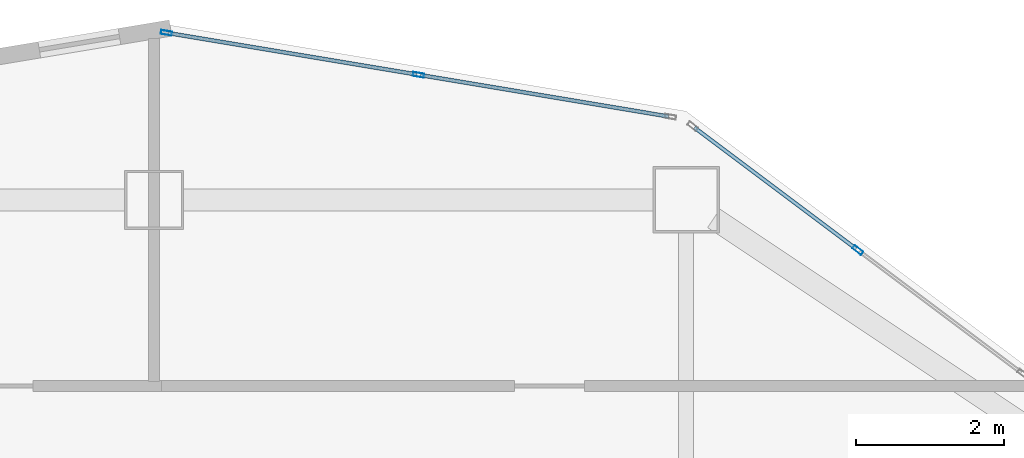
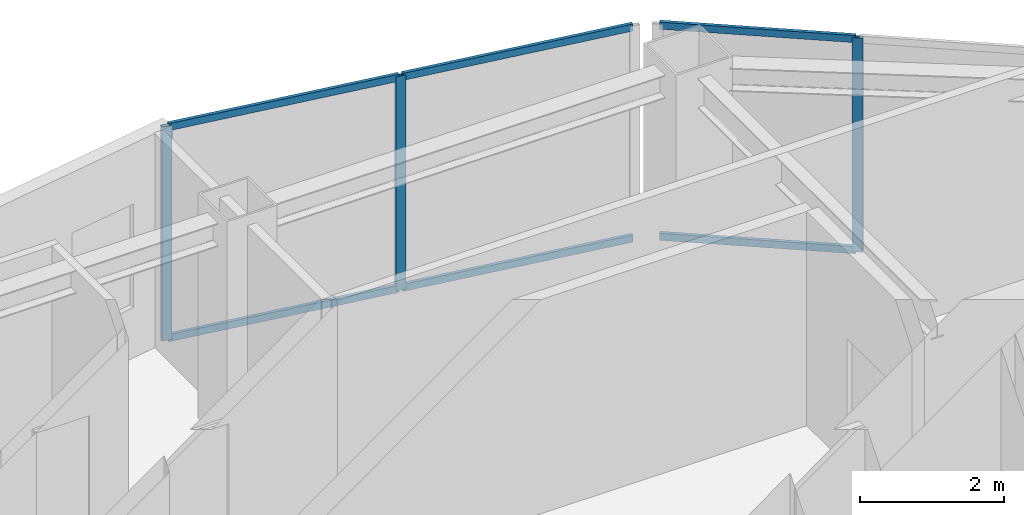
# One storey, part 2 of 11: 9 members, 2 elements without a shape of their own.
"""IFC4 building model written with IfcOpenShell, lengths in metres."""

from ifc_helpers import new_model, si_unit, direction, frame, origin, origin_2d, place, context, subcontext, project, spatial, hollow_rectangle, extrude, material, layer, layer_set, material_profile, profile_set, type_object, element, aggregate, save


model = new_model("IFC4")

# Units and contexts
model_context = context("Model", 3, precision=1e-05, world=origin(), true_north=direction((0.0, 1.0)))
body_context = subcontext(model_context, "Body", "Model", "MODEL_VIEW")
ifc_project = project(units=[si_unit("LENGTHUNIT", "METRE"), si_unit("AREAUNIT", "SQUARE_METRE"), si_unit("VOLUMEUNIT", "CUBIC_METRE"), si_unit("PLANEANGLEUNIT", "RADIAN"), si_unit("MASSUNIT", "GRAM", prefix="KILO")], contexts=[model_context])

# Site, building, storey
site_placement = place(None, origin())
site = spatial("IfcSite", under=ifc_project, at=site_placement, CompositionType="ELEMENT")
building_placement = place(site_placement, origin())
building = spatial("IfcBuilding", under=site, at=building_placement, Name="Haolan Belvedere Tower", CompositionType="ELEMENT")
storey_placement = place(building_placement, frame((0.0, 0.0, 223.0)))
storey = spatial("IfcBuildingStorey", under=building, at=storey_placement, Name="L56", CompositionType="ELEMENT", Elevation=223.0)

# Curtain wall, member
ifc_material_1 = material(Name="Anodised champagne-silver aluminium 6063-T6 and Low-E glass", Category="aluminium")
ifc_layer = layer(ifc_material_1, 0.14990234375, Name="Anodised champagne-silver aluminium 6063-T6 and Low-E glass")
ifc_layer_set = layer_set([ifc_layer], Name="Anodised champagne-silver aluminium 6063-T6 and Low-E glass")
curtain_wall_type = type_object("IfcCurtainWallType", Name="CW-SYS-04", PredefinedType="NOTDEFINED", material=ifc_layer_set)
curtain_wall_1_placement = place(storey_placement, origin())
curtain_wall_1 = element("IfcCurtainWall", 1, at=curtain_wall_1_placement, inside=storey, type_object=curtain_wall_type, Name="L56 CW-SYS-04 ribbon curtain wall 20.1", PredefinedType="NOTDEFINED")
ifc_material_2 = material(Name="Anodised aluminium 6063-T6", Category="aluminium")
ifc_material_profile_1 = material_profile(ifc_material_2, hollow_rectangle(XDim=0.055908203125, YDim=0.14990234375, WallThickness=0.00390625, at=origin_2d()), Name="Anodised aluminium 6063-T6")
ifc_profile_set_1 = profile_set([ifc_material_profile_1], Name="Anodised aluminium 6063-T6")
member_type_1 = type_object("IfcMemberType", Name="CW-SYS-04-MUL", PredefinedType="MULLION", material=ifc_profile_set_1)
member_1_placement = place(storey_placement, frame((47.9228515625, 49.720458984375, 0.0), z_axis=(0.0, 0.0, 1.0), x_axis=(-0.600002837806, -0.799997871638, 0.0)))
member_1 = element("IfcMember", 2, at=member_1_placement, type_object=member_type_1, Name="CW-04 mullion 2", PredefinedType="MULLION", context=body_context, shape_type="SweptSolid", body=[
    extrude(hollow_rectangle(XDim=0.055908203125, YDim=0.14990234375, WallThickness=0.00390625, at=origin_2d()), origin(), (0.0, 0.0, 1.0), 3.6201171875),
])

# Curtain wall, members
curtain_wall_2_placement = place(storey_placement, origin())
curtain_wall_2 = element("IfcCurtainWall", 3, at=curtain_wall_2_placement, inside=storey, type_object=curtain_wall_type, Name="L56 CW-SYS-04 ribbon curtain wall 21.1", PredefinedType="NOTDEFINED")
member_2_placement = place(storey_placement, frame((41.977783203125, 52.09228515625, 0.0), z_axis=(0.0, 0.0, 1.0), x_axis=(-0.164405962825, -0.98639276122, 0.0)))
member_2 = element("IfcMember", 4, at=member_2_placement, type_object=member_type_1, Name="CW-04 mullion 2", PredefinedType="MULLION", context=body_context, shape_type="SweptSolid", body=[
    extrude(hollow_rectangle(XDim=0.055908203125, YDim=0.14990234375, WallThickness=0.00390625, at=origin_2d()), origin(), (0.0, 0.0, 1.0), 3.6201171875),
])
member_3_placement = place(storey_placement, frame((38.565673828125, 52.660888671875, 0.0), z_axis=(0.0, 0.0, 1.0), x_axis=(-0.164405962825, -0.98639276122, 0.0)))
member_3 = element("IfcMember", 5, at=member_3_placement, type_object=member_type_1, Name="CW-04 mullion 3", PredefinedType="MULLION", context=body_context, shape_type="SweptSolid", body=[
    extrude(hollow_rectangle(XDim=0.055908203125, YDim=0.14990234375, WallThickness=0.00390625, at=origin_2d()), origin(), (0.0, 0.0, 1.0), 3.6201171875),
])

# Member
ifc_material_profile_2 = material_profile(ifc_material_2, hollow_rectangle(XDim=0.052001953125, YDim=0.1201171875, WallThickness=0.00390625, at=origin_2d()), Name="Anodised aluminium 6063-T6")
ifc_profile_set_2 = profile_set([ifc_material_profile_2], Name="Anodised aluminium 6063-T6")
member_type_2 = type_object("IfcMemberType", Name="CW-SYS-04-TRN", PredefinedType="USERDEFINED", material=ifc_profile_set_2)
member_4_placement = place(storey_placement, frame((47.900390625, 49.7373046875, 0.02587890625), z_axis=(-0.799978576274, 0.600028563905, 0.0), x_axis=(-0.600028563905, -0.799978576274, 0.0)))
member_4 = element("IfcMember", 6, at=member_4_placement, type_object=member_type_2, Name="CW-04 transom 2.1", ObjectType="TRANSOM", PredefinedType="USERDEFINED", context=body_context, shape_type="SweptSolid", body=[
    extrude(hollow_rectangle(XDim=0.052001953125, YDim=0.1201171875, WallThickness=0.00390625, at=origin_2d()), origin(), (0.0, 0.0, 1.0), 2.735107421875),
])

member_5_placement = place(storey_placement, frame((47.900390625, 49.7373046875, 3.593994140625), z_axis=(-0.799978576274, 0.600028563905, 0.0), x_axis=(-0.600028563905, -0.799978576274, 0.0)))
member_5 = element("IfcMember", 7, at=member_5_placement, type_object=member_type_2, Name="CW-04 transom 2.2", ObjectType="TRANSOM", PredefinedType="USERDEFINED", context=body_context, shape_type="SweptSolid", body=[
    extrude(hollow_rectangle(XDim=0.052001953125, YDim=0.1201171875, WallThickness=0.00390625, at=origin_2d()), origin(), (0.0, 0.0, 1.0), 2.735107421875),
])

aggregate(curtain_wall_1, [member_1, member_4, member_5])

member_6_placement = place(storey_placement, frame((45.362060546875, 51.528076171875, 0.02587890625), z_axis=(-0.986388106252, 0.164433888976, 0.0), x_axis=(-0.164433888976, -0.986388106252, 0.0)))
member_6 = element("IfcMember", 8, at=member_6_placement, type_object=member_type_2, Name="CW-04 transom 1.1", ObjectType="TRANSOM", PredefinedType="USERDEFINED", context=body_context, shape_type="SweptSolid", body=[
    extrude(hollow_rectangle(XDim=0.052001953125, YDim=0.1201171875, WallThickness=0.00390625, at=origin_2d()), origin(), (0.0, 0.0, 1.0), 3.403076171875),
])

member_7_placement = place(storey_placement, frame((45.362060546875, 51.528076171875, 3.593994140625), z_axis=(-0.986388106252, 0.164433888976, 0.0), x_axis=(-0.164433888976, -0.986388106252, 0.0)))
member_7 = element("IfcMember", 9, at=member_7_placement, type_object=member_type_2, Name="CW-04 transom 1.2", ObjectType="TRANSOM", PredefinedType="USERDEFINED", context=body_context, shape_type="SweptSolid", body=[
    extrude(hollow_rectangle(XDim=0.052001953125, YDim=0.1201171875, WallThickness=0.00390625, at=origin_2d()), origin(), (0.0, 0.0, 1.0), 3.403076171875),
])

member_8_placement = place(storey_placement, frame((41.9501953125, 52.096923828125, 0.02587890625), z_axis=(-0.986401678227, 0.164352454169, 0.0), x_axis=(-0.164352454169, -0.986401678227, 0.0)))
member_8 = element("IfcMember", 10, at=member_8_placement, type_object=member_type_2, Name="CW-04 transom 2.1", ObjectType="TRANSOM", PredefinedType="USERDEFINED", context=body_context, shape_type="SweptSolid", body=[
    extrude(hollow_rectangle(XDim=0.052001953125, YDim=0.1201171875, WallThickness=0.00390625, at=origin_2d()), origin(), (0.0, 0.0, 1.0), 3.4033203125),
])

member_9_placement = place(storey_placement, frame((41.9501953125, 52.096923828125, 3.593994140625), z_axis=(-0.986401678227, 0.164352454169, 0.0), x_axis=(-0.164352454169, -0.986401678227, 0.0)))
member_9 = element("IfcMember", 11, at=member_9_placement, type_object=member_type_2, Name="CW-04 transom 2.2", ObjectType="TRANSOM", PredefinedType="USERDEFINED", context=body_context, shape_type="SweptSolid", body=[
    extrude(hollow_rectangle(XDim=0.052001953125, YDim=0.1201171875, WallThickness=0.00390625, at=origin_2d()), origin(), (0.0, 0.0, 1.0), 3.4033203125),
])

aggregate(curtain_wall_2, [member_2, member_3, member_6, member_7, member_8, member_9])

save(model, "model.ifc")
